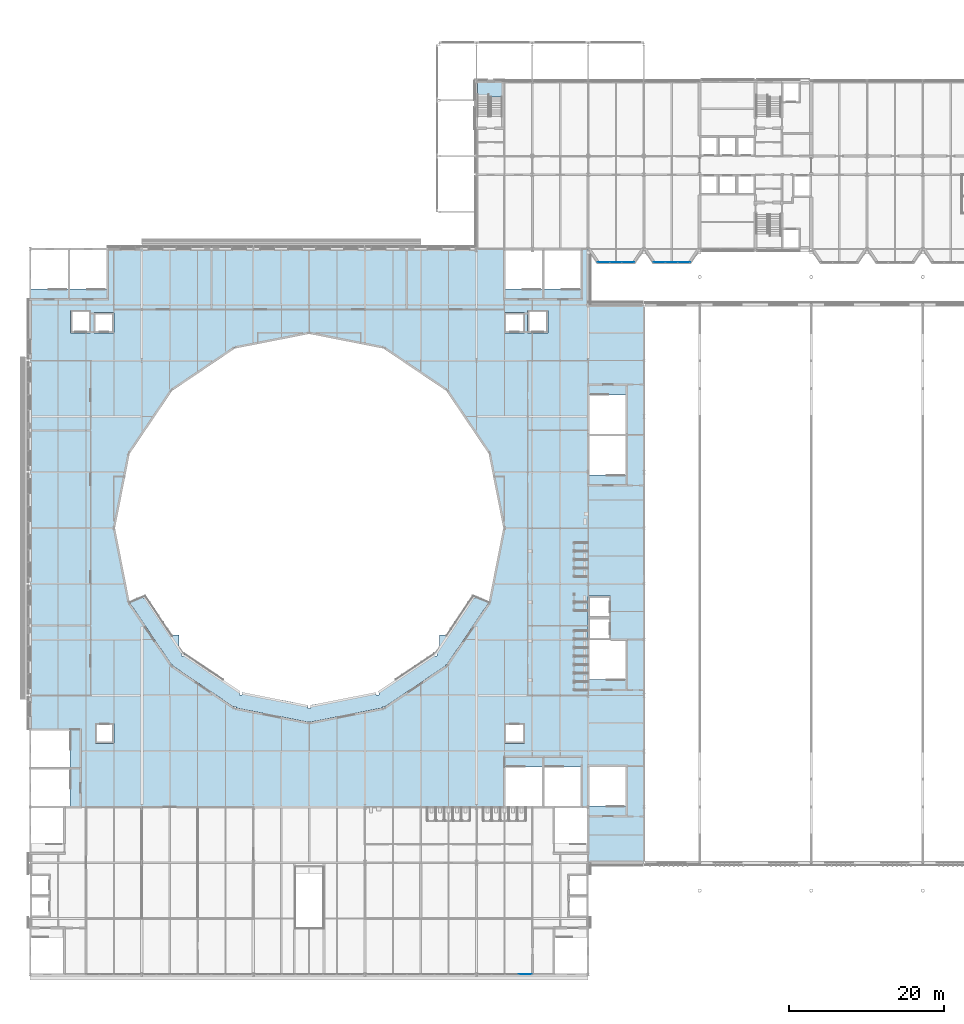
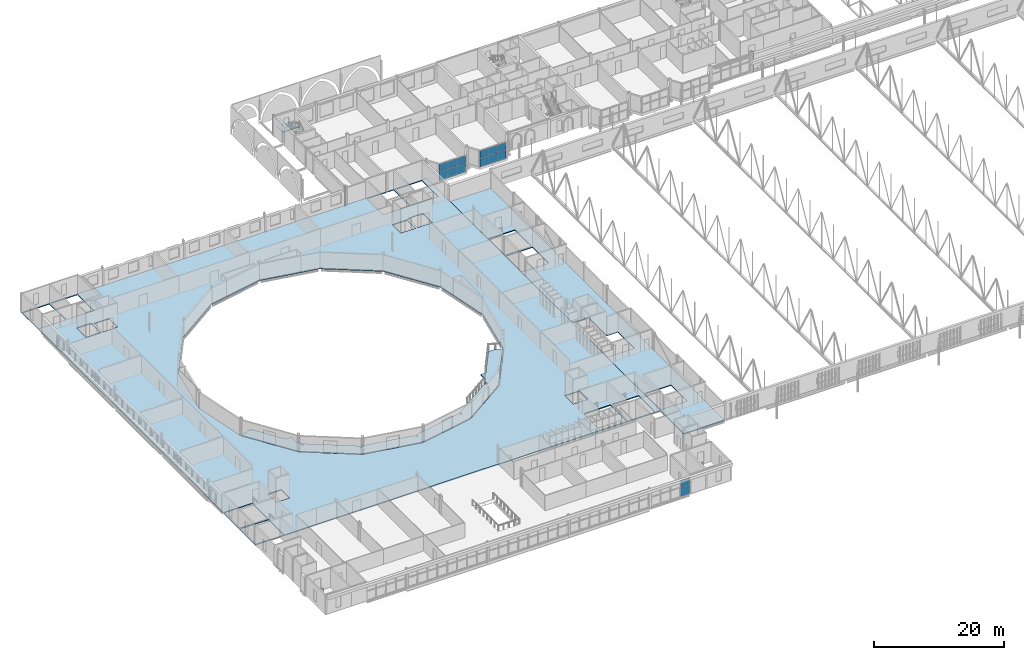
# One storey, part 85 of 142: 14 plates, 4 slabs, 4 elements without a shape of their own.
"""IFC4 building model written with IfcOpenShell, lengths in metres."""

from ifc_helpers import new_model, si_unit, direction, frame, origin, origin_2d, place, context, subcontext, project, spatial, polyline, rectangle, outline, extrude, material, layer, layer_set, type_object, element, aggregate, save


model = new_model("IFC4")

# Units and contexts
model_context = context("Model", 3, precision=1e-05, world=origin(), true_north=direction((0.0, 1.0)))
body_context = subcontext(model_context, "Body", "Model", "MODEL_VIEW")
ifc_project = project(units=[si_unit("LENGTHUNIT", "METRE"), si_unit("AREAUNIT", "SQUARE_METRE"), si_unit("VOLUMEUNIT", "CUBIC_METRE"), si_unit("PLANEANGLEUNIT", "RADIAN"), si_unit("MASSUNIT", "GRAM", prefix="KILO")], contexts=[model_context])

# Site, building, storey
site_placement = place(None, origin())
site = spatial("IfcSite", under=ifc_project, at=site_placement, CompositionType="ELEMENT")
building_placement = place(site_placement, origin())
building = spatial("IfcBuilding", under=site, at=building_placement, Name="Kupolbacken Congress Centre", CompositionType="ELEMENT")
storey_placement = place(building_placement, frame((0.0, 0.0, 14.39990234375)))
storey = spatial("IfcBuildingStorey", under=building, at=storey_placement, Name="L04", CompositionType="ELEMENT", Elevation=14.39990234375)

# Slabs
ifc_material_1 = material(Name="Concrete C30/37", Category="concrete")
ifc_layer_1 = layer(ifc_material_1, 0.1201171875)
ifc_material_2 = material(Name="Steel S350 profiled deck", Category="steel")
ifc_layer_2 = layer(ifc_material_2, 0.06005859375)
ifc_layer_set_1 = layer_set([ifc_layer_1, ifc_layer_2], Name="Concrete C30/37 / Steel S350 profiled deck")
slab_type_1 = type_object("IfcSlabType", Name="FS3 slab 180", PredefinedType="FLOOR", material=ifc_layer_set_1)
slab_1_placement = place(storey_placement, frame((0.0, 0.0, -0.179931640625)))
element("IfcSlab", 1, at=slab_1_placement, inside=storey, type_object=slab_type_1, Name="S/floor/P/L04/slab/slab", PredefinedType="FLOOR", context=body_context, shape_type="SweptSolid", body=[
    extrude(outline(polyline([(7.200439453125, 50.400390625), (79.199462890625, 50.400390625), (79.199462890625, 122.3994140625), (7.200439453125, 122.3994140625), (7.200439453125, 50.400390625)]), holes=[polyline([(73.5244140625, 50.5244140625), (73.5244140625, 55.54052734375), (78.275390625, 55.54052734375), (78.275390625, 50.5244140625), (73.5244140625, 50.5244140625)]), polyline([(73.5244140625, 117.259521484375), (73.5244140625, 122.275390625), (78.275390625, 122.275390625), (78.275390625, 117.259521484375), (73.5244140625, 117.259521484375)]), polyline([(71.3994140625, 111.599609375), (71.3994140625, 114.50048828125), (74.00048828125, 114.50048828125), (74.00048828125, 111.599609375), (71.3994140625, 111.599609375)]), polyline([(73.275390625, 50.5244140625), (68.5244140625, 50.5244140625), (68.5244140625, 55.54052734375), (73.275390625, 55.54052734375), (73.275390625, 50.5244140625)]), polyline([(68.5244140625, 117.259521484375), (68.5244140625, 122.275390625), (73.275390625, 122.275390625), (73.275390625, 117.259521484375), (68.5244140625, 117.259521484375)]), polyline([(68.3994140625, 58.599609375), (68.3994140625, 61.200439453125), (71.00048828125, 61.200439453125), (71.00048828125, 58.599609375), (68.3994140625, 58.599609375)]), polyline([(68.3994140625, 111.599609375), (68.3994140625, 114.200439453125), (71.00048828125, 114.200439453125), (71.00048828125, 111.599609375), (68.3994140625, 111.599609375)]), polyline([(52.85009765625, 63.099609375), (43.199951171875, 61.199462890625), (33.5498046875, 63.099609375), (25.399658203125, 68.599609375), (19.8994140625, 76.749755859375), (17.99951171875, 86.39990234375), (19.8994140625, 96.05029296875), (25.399658203125, 104.200439453125), (33.5498046875, 109.700439453125), (43.199951171875, 111.6005859375), (52.85009765625, 109.700439453125), (61.000244140625, 104.200439453125), (66.50048828125, 96.05029296875), (68.400390625, 86.39990234375), (66.50048828125, 76.749755859375), (61.000244140625, 68.599609375), (52.85009765625, 63.099609375)]), polyline([(15.599609375, 58.599609375), (15.599609375, 61.200439453125), (18.00048828125, 61.200439453125), (18.00048828125, 58.599609375), (15.599609375, 58.599609375)]), polyline([(15.3994140625, 111.599609375), (15.3994140625, 114.200439453125), (18.00048828125, 114.200439453125), (18.00048828125, 111.599609375), (15.3994140625, 111.599609375)]), polyline([(12.324462890625, 117.259521484375), (12.324462890625, 122.275390625), (17.075439453125, 122.275390625), (17.075439453125, 117.259521484375), (12.324462890625, 117.259521484375)]), polyline([(12.3994140625, 111.599609375), (12.3994140625, 114.50048828125), (15.00048828125, 114.50048828125), (15.00048828125, 111.599609375), (12.3994140625, 111.599609375)]), polyline([(12.340576171875, 55.275390625), (12.340576171875, 50.5244140625), (7.324462890625, 50.5244140625), (7.324462890625, 55.275390625), (12.340576171875, 55.275390625)]), polyline([(7.324462890625, 55.5244140625), (7.324462890625, 60.275390625), (12.340576171875, 60.275390625), (12.340576171875, 55.5244140625), (7.324462890625, 55.5244140625)]), polyline([(7.324462890625, 117.259521484375), (7.324462890625, 122.275390625), (12.075439453125, 122.275390625), (12.075439453125, 117.259521484375), (7.324462890625, 117.259521484375)])]), origin(), (0.0, 0.0, 1.0), 0.179931640625),
])
slab_2_placement = place(storey_placement, frame((0.0, 0.0, -0.179931640625)))
element("IfcSlab", 2, at=slab_2_placement, inside=storey, type_object=slab_type_1, Name="S/floor/LINK/L04/slab/slab", PredefinedType="FLOOR", context=body_context, shape_type="SweptSolid", body=[
    extrude(outline(polyline([(86.3994140625, 43.200439453125), (86.3994140625, 115.199462890625), (79.200439453125, 115.199462890625), (79.200439453125, 77.6005859375), (82.1005859375, 77.6005859375), (82.1005859375, 72.00048828125), (84.075439453125, 72.00048828125), (84.075439453125, 66.859619140625), (79.324462890625, 66.859619140625), (79.324462890625, 71.99951171875), (79.200439453125, 71.99951171875), (79.200439453125, 43.200439453125), (86.3994140625, 43.200439453125)]), holes=[polyline([(79.324462890625, 98.275390625), (84.075439453125, 98.275390625), (84.075439453125, 93.259521484375), (79.324462890625, 93.259521484375), (79.324462890625, 98.275390625)]), polyline([(79.349609375, 103.5654296875), (84.050537109375, 103.5654296875), (84.050537109375, 98.549560546875), (79.349609375, 98.549560546875), (79.349609375, 103.5654296875)]), polyline([(79.349609375, 50.534423828125), (79.349609375, 55.550537109375), (84.050537109375, 55.550537109375), (84.050537109375, 50.534423828125), (79.349609375, 50.534423828125)])]), origin(), (0.0, 0.0, 1.0), 0.179931640625),
])
ifc_layer_3 = layer(ifc_material_1, 0.1201171875)
ifc_layer_4 = layer(ifc_material_2, 0.06005859375)
ifc_layer_set_2 = layer_set([ifc_layer_3, ifc_layer_4], Name="Concrete C30/37 / Steel S350 profiled deck")
slab_type_2 = type_object("IfcSlabType", Name="FS7 slab 180 ring", PredefinedType="USERDEFINED", material=ifc_layer_set_2)
slab_3_placement = place(storey_placement, frame((0.0, 0.0, -0.179931640625)))
element("IfcSlab", 3, at=slab_3_placement, inside=storey, type_object=slab_type_2, Name="Plenary cross-aisle ring", ObjectType="SEATING TIER", PredefinedType="USERDEFINED", context=body_context, shape_type="SweptSolid", body=[
    extrude(outline(polyline([(43.3701171875, 61.355712890625), (43.3701171875, 61.419921875), (43.030029296875, 61.419921875), (43.030029296875, 61.355712890625), (33.726318359375, 63.1875), (33.726318359375, 63.338134765625), (33.41162109375, 63.338134765625), (25.55078125, 68.642822265625), (25.55078125, 68.80078125), (25.4091796875, 68.80078125), (20.088134765625, 76.685546875), (20.088134765625, 76.826904296875), (21.726318359375, 77.50537109375), (21.726318359375, 77.355712890625), (22.06640625, 77.355712890625), (22.06640625, 77.579833984375), (25.41357421875, 72.6201171875), (26.371826171875, 72.6201171875), (26.371826171875, 71.199951171875), (26.96923828125, 70.31494140625), (26.724853515625, 70.31494140625), (26.724853515625, 69.875), (27.06494140625, 69.875), (27.06494140625, 70.202880859375), (34.305908203125, 65.31640625), (34.205810546875, 65.31640625), (34.205810546875, 64.87646484375), (34.5458984375, 64.87646484375), (34.5458984375, 65.207275390625), (43.030029296875, 63.536865234375), (43.030029296875, 63.12109375), (43.3701171875, 63.12109375), (43.3701171875, 63.536865234375), (51.854248046875, 65.207275390625), (51.854248046875, 64.87646484375), (52.194091796875, 64.87646484375), (52.194091796875, 65.31640625), (52.093994140625, 65.31640625), (59.335205078125, 70.202880859375), (59.335205078125, 69.875), (59.675048828125, 69.875), (59.675048828125, 70.31494140625), (59.430908203125, 70.31494140625), (60.028076171875, 71.199951171875), (60.028076171875, 72.6201171875), (60.986328125, 72.6201171875), (64.33349609375, 77.579833984375), (64.33349609375, 77.355712890625), (64.673583984375, 77.355712890625), (64.673583984375, 77.50537109375), (66.311767578125, 76.826904296875), (66.311767578125, 76.685546875), (60.99072265625, 68.80078125), (60.84912109375, 68.80078125), (60.84912109375, 68.642822265625), (52.988525390625, 63.338134765625), (52.673583984375, 63.338134765625), (52.673583984375, 63.1875), (43.3701171875, 61.355712890625)])), origin(), (0.0, 0.0, 1.0), 0.179931640625),
])

# Curtain wall, plates
ifc_material_3 = material(Name="Aluminium mullion-transom frame with glass", Category="aluminium")
curtain_wall_type = type_object("IfcCurtainWallType", Name="CW1 curtain wall 7200x3600", PredefinedType="NOTDEFINED", material=ifc_material_3)
curtain_wall_1_placement = place(storey_placement, origin())
curtain_wall_1 = element("IfcCurtainWall", 4, at=curtain_wall_1_placement, inside=storey, type_object=curtain_wall_type, Name="E/F/S/L04/420", PredefinedType="NOTDEFINED")
ifc_material_4 = material(Name="Glass", Category="glass")
ifc_layer_5 = layer(ifc_material_4, 0.035888671875)
ifc_layer_set_3 = layer_set([ifc_layer_5], Name="Glass")
plate_type = type_object("IfcPlateType", Name="GL2 glass panel 36", PredefinedType="CURTAIN_PANEL", material=ifc_layer_set_3)
plate_1_placement = place(storey_placement, frame((71.106201171875, 28.800048828125, 0.050048828125), z_axis=(0.0, 0.0, 1.0), x_axis=(1.0, 0.0, 0.0)))
plate_1 = element("IfcPlate", 5, at=plate_1_placement, type_object=plate_type, Name="CW1 panel 4.1", PredefinedType="CURTAIN_PANEL", context=body_context, shape_type="SweptSolid", body=[
    extrude(rectangle(XDim=1.6875, YDim=0.035888671875, at=origin_2d()), origin(), (0.0, 0.0, 1.0), 1.72509765625),
])
plate_2_placement = place(storey_placement, frame((71.106201171875, 28.800048828125, 1.824951171875), z_axis=(0.0, 0.0, 1.0), x_axis=(1.0, 0.0, 0.0)))
plate_2 = element("IfcPlate", 6, at=plate_2_placement, type_object=plate_type, Name="CW1 panel 4.2", PredefinedType="CURTAIN_PANEL", context=body_context, shape_type="SweptSolid", body=[
    extrude(rectangle(XDim=1.6875, YDim=0.035888671875, at=origin_2d()), origin(), (0.0, 0.0, 1.0), 1.2451171875),
])
aggregate(curtain_wall_1, [plate_1, plate_2])

curtain_wall_2_placement = place(storey_placement, origin())
curtain_wall_2 = element("IfcCurtainWall", 7, at=curtain_wall_2_placement, inside=storey, type_object=curtain_wall_type, Name="E/T/cumba/L04/S/004/cw", PredefinedType="NOTDEFINED")
plate_3_placement = place(storey_placement, frame((81.21240234375, 120.699951171875, 0.050048828125), z_axis=(0.0, 0.0, 1.0), x_axis=(1.0, 0.0, 0.0)))
plate_3 = element("IfcPlate", 8, at=plate_3_placement, type_object=plate_type, Name="CW1 panel 1.1", PredefinedType="CURTAIN_PANEL", context=body_context, shape_type="SweptSolid", body=[
    extrude(rectangle(XDim=1.52490234375, YDim=0.035888671875, at=origin_2d()), origin(), (0.0, 0.0, 1.0), 1.72509765625),
])
plate_4_placement = place(storey_placement, frame((81.21240234375, 120.699951171875, 1.8251953125), z_axis=(0.0, 0.0, 1.0), x_axis=(1.0, 0.0, 0.0)))
plate_4 = element("IfcPlate", 9, at=plate_4_placement, type_object=plate_type, Name="CW1 panel 1.2", PredefinedType="CURTAIN_PANEL", context=body_context, shape_type="SweptSolid", body=[
    extrude(rectangle(XDim=1.52490234375, YDim=0.035888671875, at=origin_2d()), origin(), (0.0, 0.0, 1.0), 1.344970703125),
])
plate_5_placement = place(storey_placement, frame((82.800048828125, 120.699951171875, 0.050048828125), z_axis=(0.0, 0.0, 1.0), x_axis=(1.0, 0.0, 0.0)))
plate_5 = element("IfcPlate", 10, at=plate_5_placement, type_object=plate_type, Name="CW1 panel 2.1", PredefinedType="CURTAIN_PANEL", context=body_context, shape_type="SweptSolid", body=[
    extrude(rectangle(XDim=1.550048828125, YDim=0.035888671875, at=origin_2d()), origin(), (0.0, 0.0, 1.0), 1.72509765625),
])
plate_6_placement = place(storey_placement, frame((82.800048828125, 120.699951171875, 1.8251953125), z_axis=(0.0, 0.0, 1.0), x_axis=(1.0, 0.0, 0.0)))
plate_6 = element("IfcPlate", 11, at=plate_6_placement, type_object=plate_type, Name="CW1 panel 2.2", PredefinedType="CURTAIN_PANEL", context=body_context, shape_type="SweptSolid", body=[
    extrude(rectangle(XDim=1.550048828125, YDim=0.035888671875, at=origin_2d()), origin(), (0.0, 0.0, 1.0), 1.344970703125),
])
plate_7_placement = place(storey_placement, frame((84.387451171875, 120.699951171875, 0.050048828125), z_axis=(0.0, 0.0, 1.0), x_axis=(1.0, 0.0, 0.0)))
plate_7 = element("IfcPlate", 12, at=plate_7_placement, type_object=plate_type, Name="CW1 panel 3.1", PredefinedType="CURTAIN_PANEL", context=body_context, shape_type="SweptSolid", body=[
    extrude(rectangle(XDim=1.52490234375, YDim=0.035888671875, at=origin_2d()), origin(), (0.0, 0.0, 1.0), 1.72509765625),
])
plate_8_placement = place(storey_placement, frame((84.387451171875, 120.699951171875, 1.8251953125), z_axis=(0.0, 0.0, 1.0), x_axis=(1.0, 0.0, 0.0)))
plate_8 = element("IfcPlate", 13, at=plate_8_placement, type_object=plate_type, Name="CW1 panel 3.2", PredefinedType="CURTAIN_PANEL", context=body_context, shape_type="SweptSolid", body=[
    extrude(rectangle(XDim=1.52490234375, YDim=0.035888671875, at=origin_2d()), origin(), (0.0, 0.0, 1.0), 1.344970703125),
])
aggregate(curtain_wall_2, [plate_3, plate_4, plate_5, plate_6, plate_7, plate_8])

curtain_wall_3_placement = place(storey_placement, origin())
curtain_wall_3 = element("IfcCurtainWall", 14, at=curtain_wall_3_placement, inside=storey, type_object=curtain_wall_type, Name="E/T/cumba/L04/S/008/cw", PredefinedType="NOTDEFINED")
plate_9_placement = place(storey_placement, frame((88.41259765625, 120.699951171875, 0.050048828125), z_axis=(0.0, 0.0, 1.0), x_axis=(1.0, 0.0, 0.0)))
plate_9 = element("IfcPlate", 15, at=plate_9_placement, type_object=plate_type, Name="CW1 panel 1.1", PredefinedType="CURTAIN_PANEL", context=body_context, shape_type="SweptSolid", body=[
    extrude(rectangle(XDim=1.52490234375, YDim=0.035888671875, at=origin_2d()), origin(), (0.0, 0.0, 1.0), 1.72509765625),
])
plate_10_placement = place(storey_placement, frame((88.41259765625, 120.699951171875, 1.8251953125), z_axis=(0.0, 0.0, 1.0), x_axis=(1.0, 0.0, 0.0)))
plate_10 = element("IfcPlate", 16, at=plate_10_placement, type_object=plate_type, Name="CW1 panel 1.2", PredefinedType="CURTAIN_PANEL", context=body_context, shape_type="SweptSolid", body=[
    extrude(rectangle(XDim=1.52490234375, YDim=0.035888671875, at=origin_2d()), origin(), (0.0, 0.0, 1.0), 1.344970703125),
])
plate_11_placement = place(storey_placement, frame((90.0, 120.699951171875, 0.050048828125), z_axis=(0.0, 0.0, 1.0), x_axis=(1.0, 0.0, 0.0)))
plate_11 = element("IfcPlate", 17, at=plate_11_placement, type_object=plate_type, Name="CW1 panel 2.1", PredefinedType="CURTAIN_PANEL", context=body_context, shape_type="SweptSolid", body=[
    extrude(rectangle(XDim=1.550048828125, YDim=0.035888671875, at=origin_2d()), origin(), (0.0, 0.0, 1.0), 1.72509765625),
])
plate_12_placement = place(storey_placement, frame((90.0, 120.699951171875, 1.8251953125), z_axis=(0.0, 0.0, 1.0), x_axis=(1.0, 0.0, 0.0)))
plate_12 = element("IfcPlate", 18, at=plate_12_placement, type_object=plate_type, Name="CW1 panel 2.2", PredefinedType="CURTAIN_PANEL", context=body_context, shape_type="SweptSolid", body=[
    extrude(rectangle(XDim=1.550048828125, YDim=0.035888671875, at=origin_2d()), origin(), (0.0, 0.0, 1.0), 1.344970703125),
])
plate_13_placement = place(storey_placement, frame((91.58740234375, 120.699951171875, 0.050048828125), z_axis=(0.0, 0.0, 1.0), x_axis=(1.0, 0.0, 0.0)))
plate_13 = element("IfcPlate", 19, at=plate_13_placement, type_object=plate_type, Name="CW1 panel 3.1", PredefinedType="CURTAIN_PANEL", context=body_context, shape_type="SweptSolid", body=[
    extrude(rectangle(XDim=1.52490234375, YDim=0.035888671875, at=origin_2d()), origin(), (0.0, 0.0, 1.0), 1.72509765625),
])
plate_14_placement = place(storey_placement, frame((91.58740234375, 120.699951171875, 1.8251953125), z_axis=(0.0, 0.0, 1.0), x_axis=(1.0, 0.0, 0.0)))
plate_14 = element("IfcPlate", 20, at=plate_14_placement, type_object=plate_type, Name="CW1 panel 3.2", PredefinedType="CURTAIN_PANEL", context=body_context, shape_type="SweptSolid", body=[
    extrude(rectangle(XDim=1.52490234375, YDim=0.035888671875, at=origin_2d()), origin(), (0.0, 0.0, 1.0), 1.344970703125),
])
aggregate(curtain_wall_3, [plate_9, plate_10, plate_11, plate_12, plate_13, plate_14])

# Stair, slab
ifc_material_5 = material(Name="Steel S355", Category="steel")
stair_type = type_object("IfcStairType", Name="ST2 stair 1500", PredefinedType="TWO_STRAIGHT_RUN_STAIR", material=ifc_material_5)
stair_placement = place(storey_placement, origin())
stair = element("IfcStair", 21, at=stair_placement, inside=storey, type_object=stair_type, Name="C/stair/TS3/L04", PredefinedType="NOTDEFINED")
ifc_material_6 = material(Name="Concrete C30/37 precast", Category="concrete")
ifc_layer_6 = layer(ifc_material_6, 0.175048828125)
ifc_layer_set_4 = layer_set([ifc_layer_6], Name="Concrete C30/37 precast")
slab_type_3 = type_object("IfcSlabType", Name="SL1 slab 175", PredefinedType="LANDING", material=ifc_layer_set_4)
slab_4_placement = place(storey_placement, frame((0.0, 0.0, 1.539306640625)))
slab_4 = element("IfcSlab", 22, at=slab_4_placement, type_object=slab_type_3, Name="TS3 landing 1", PredefinedType="LANDING", context=body_context, shape_type="SweptSolid", body=[
    extrude(outline(polyline([(64.929931640625, 142.044921875), (68.070068359375, 142.044921875), (68.070068359375, 143.8701171875), (64.929931640625, 143.8701171875), (64.929931640625, 142.044921875)])), origin(), (0.0, 0.0, 1.0), 0.175048828125),
])
aggregate(stair, [slab_4])

save(model, "model.ifc")
